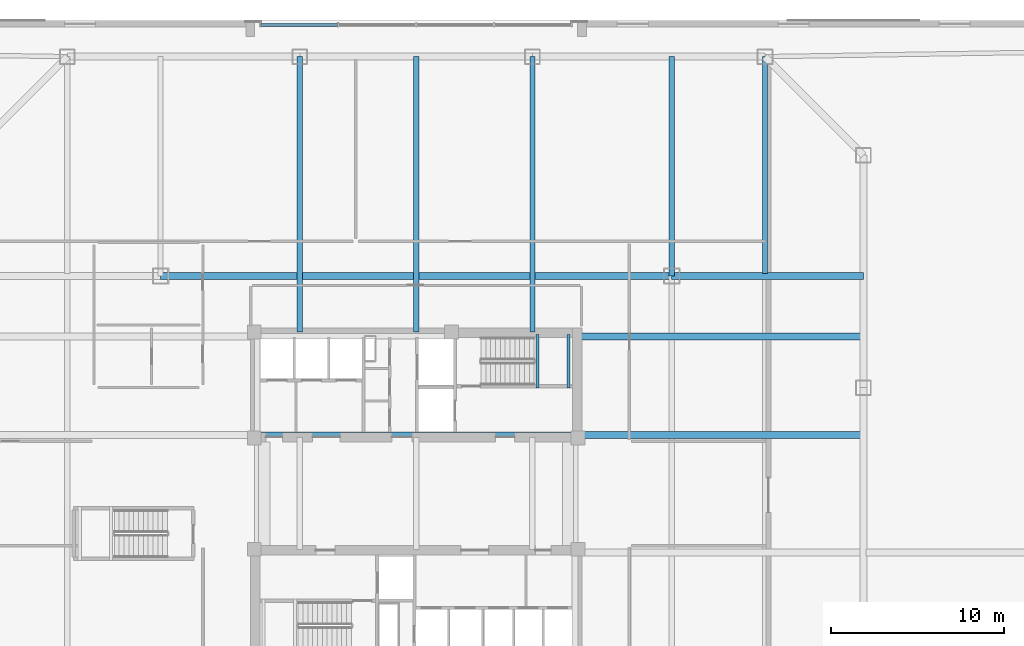
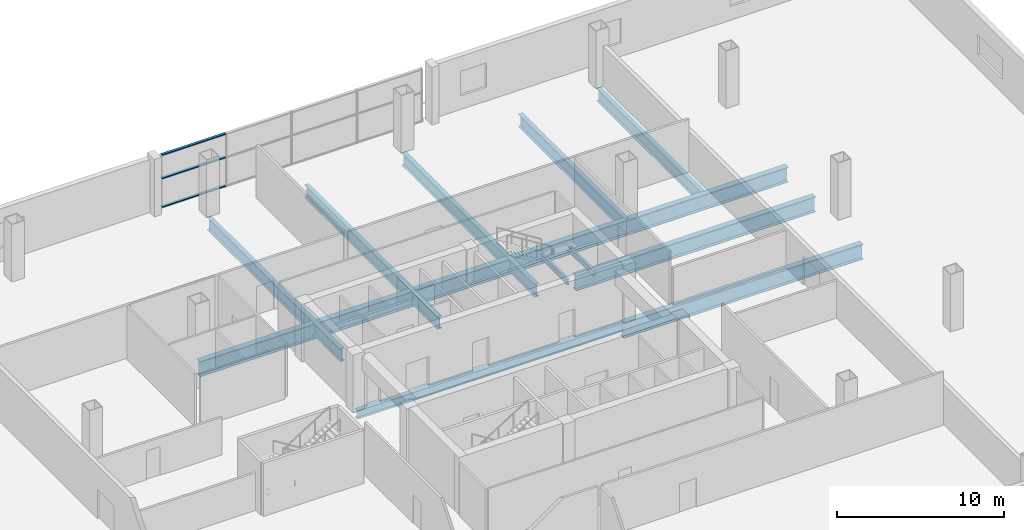
# One storey, part 9 of 21: 12 beams, 3 members, 1 element without a shape of its own.
"""IFC4 building model written with IfcOpenShell, lengths in metres."""

from ifc_helpers import new_model, si_unit, direction, frame, origin, origin_2d, place, context, subcontext, project, spatial, hollow_rectangle, i_section, extrude, material, layer, layer_set, material_profile, profile_set, type_object, element, aggregate, save


model = new_model("IFC4")

# Units and contexts
model_context = context("Model", 3, precision=1e-05, world=origin(), true_north=direction((0.0, 1.0)))
body_context = subcontext(model_context, "Body", "Model", "MODEL_VIEW")
ifc_project = project(units=[si_unit("LENGTHUNIT", "METRE"), si_unit("AREAUNIT", "SQUARE_METRE"), si_unit("VOLUMEUNIT", "CUBIC_METRE"), si_unit("PLANEANGLEUNIT", "RADIAN"), si_unit("MASSUNIT", "GRAM", prefix="KILO")], contexts=[model_context])

# Site, building, storey
site_placement = place(None, origin())
site = spatial("IfcSite", under=ifc_project, at=site_placement, CompositionType="ELEMENT")
building_placement = place(site_placement, origin())
building = spatial("IfcBuilding", under=site, at=building_placement, Name="Qhalaya Broadcast Tower", CompositionType="ELEMENT")
storey_placement = place(building_placement, frame((0.0, 0.0, 5.10009765625)))
storey = spatial("IfcBuildingStorey", under=building, at=storey_placement, Name="L01", CompositionType="ELEMENT", Elevation=5.10009765625)

# Beams
ifc_material_1 = material(Name="Structural Steel ASTM A992 Grade 50", Category="steel")
ifc_material_profile_1 = material_profile(ifc_material_1, i_section(OverallWidth=0.323974609375, OverallDepth=0.612060546875, WebThickness=0.0126953125, FlangeThickness=0.01904296875, at=origin_2d()), Name="W24X104")
ifc_profile_set_1 = profile_set([ifc_material_profile_1], Name="Structural Steel ASTM A992 Grade 50")
beam_type_1 = type_object("IfcBeamType", Name="Core Frame Tie Beam B04", PredefinedType="BEAM", material=ifc_profile_set_1)
beam_1_placement = place(storey_placement, frame((-9.199951171875, 4.0, -0.6259765625), z_axis=(1.0, 0.0, 0.0), x_axis=(0.0, 1.0, 0.0)))
element("IfcBeam", 1, at=beam_1_placement, inside=storey, type_object=beam_type_1, Name="L01 B04 L01-CCN1", PredefinedType="BEAM", context=body_context, shape_type="SweptSolid", body=[
    extrude(i_section(OverallWidth=0.323974609375, OverallDepth=0.612060546875, WebThickness=0.0126953125, FlangeThickness=0.01904296875, at=origin_2d()), origin(), (0.0, 0.0, 1.0), 18.39990234375),
])
ifc_material_profile_2 = material_profile(ifc_material_1, i_section(OverallWidth=0.306884765625, OverallDepth=0.927001953125, WebThickness=0.019287109375, FlangeThickness=0.031982421875, at=origin_2d()), Name="W36X194")
ifc_profile_set_2 = profile_set([ifc_material_profile_2], Name="Structural Steel ASTM A992 Grade 50")
beam_type_2 = type_object("IfcBeamType", Name="Heavy Studio Floor Beam B01", PredefinedType="BEAM", material=ifc_profile_set_2)
for number, where, z_axis, x_axis, name in (
    (2, (-6.7333984375, 9.949951171875, -0.78369140625), (0.0, 1.0, 0.0), (-1.0, 0.0, 0.0), "L01 B01 L01-JS-CN-6.7"),
    (3, (0.0, 9.949951171875, -0.78369140625), (0.0, 1.0, 0.0), (-1.0, 0.0, 0.0), "L01 B01 L01-JS-CN+0.0"),
    (4, (6.7333984375, 9.949951171875, -0.78369140625), (0.0, 1.0, 0.0), (-1.0, 0.0, 0.0), "L01 B01 L01-JS-CN+6.7"),
):
    element("IfcBeam", number, at=place(storey_placement, frame(where, z_axis=z_axis, x_axis=x_axis)), inside=storey, type_object=beam_type_2, Name=name, PredefinedType="BEAM", context=body_context, shape_type="SweptSolid", body=[
        extrude(i_section(OverallWidth=0.306884765625, OverallDepth=0.927001953125, WebThickness=0.019287109375, FlangeThickness=0.031982421875, at=origin_2d()), origin(), (0.0, 0.0, 1.0), 15.949951171875),
    ])
beam_2_placement = place(storey_placement, frame((14.800048828125, 13.199951171875, -0.78369140625), z_axis=(0.0, 1.0, 0.0), x_axis=(-1.0, 0.0, 0.0)))
element("IfcBeam", 5, at=beam_2_placement, inside=storey, type_object=beam_type_2, Name="L01 B01 L01-JS-N+14.8", PredefinedType="BEAM", context=body_context, shape_type="SweptSolid", body=[
    extrude(i_section(OverallWidth=0.306884765625, OverallDepth=0.927001953125, WebThickness=0.019287109375, FlangeThickness=0.031982421875, at=origin_2d()), origin(), (0.0, 0.0, 1.0), 12.699951171875),
])
beam_3_placement = place(storey_placement, frame((20.199951171875, 13.340087890625, -0.78369140625), z_axis=(0.0, 1.0, 0.0), x_axis=(-1.0, 0.0, 0.0)))
element("IfcBeam", 6, at=beam_3_placement, inside=storey, type_object=beam_type_2, Name="L01 B01 L01-JS-N+20.2", PredefinedType="BEAM", context=body_context, shape_type="SweptSolid", body=[
    extrude(i_section(OverallWidth=0.306884765625, OverallDepth=0.927001953125, WebThickness=0.019287109375, FlangeThickness=0.031982421875, at=origin_2d()), origin(), (0.0, 0.0, 1.0), 12.559814453125),
])
ifc_material_profile_3 = material_profile(ifc_material_1, i_section(OverallWidth=0.404052734375, OverallDepth=1.117919921875, WebThickness=0.026123046875, FlangeThickness=0.044921875, at=origin_2d()), Name="W44X335")
ifc_profile_set_3 = profile_set([ifc_material_profile_3], Name="Structural Steel ASTM A992 Grade 50")
beam_type_3 = type_object("IfcBeamType", Name="Podium Long-Span Primary Girder PG1", PredefinedType="USERDEFINED", material=ifc_profile_set_3)
beam_4_placement = place(storey_placement, frame((-14.800048828125, 13.199951171875, -0.879150390625), z_axis=(1.0, 0.0, 0.0), x_axis=(0.0, 1.0, 0.0)))
element("IfcBeam", 7, at=beam_4_placement, inside=storey, type_object=beam_type_3, Name="L01 PG1 L01-PG-GN3", ObjectType="GIRDER", PredefinedType="USERDEFINED", context=body_context, shape_type="SweptSolid", body=[
    extrude(i_section(OverallWidth=0.404052734375, OverallDepth=1.117919921875, WebThickness=0.026123046875, FlangeThickness=0.044921875, at=origin_2d()), origin(), (0.0, 0.0, 1.0), 29.60009765625),
])
beam_5_placement = place(storey_placement, frame((14.800048828125, 13.199951171875, -0.879150390625), z_axis=(1.0, 0.0, 0.0), x_axis=(0.0, 1.0, 0.0)))
element("IfcBeam", 8, at=beam_5_placement, inside=storey, type_object=beam_type_3, Name="L01 PG1 L01-PG-GN4", ObjectType="GIRDER", PredefinedType="USERDEFINED", context=body_context, shape_type="SweptSolid", body=[
    extrude(i_section(OverallWidth=0.404052734375, OverallDepth=1.117919921875, WebThickness=0.026123046875, FlangeThickness=0.044921875, at=origin_2d()), origin(), (0.0, 0.0, 1.0), 11.099853515625),
])
for number, where, z_axis, x_axis, name in (
    (9, (9.199951171875, 4.0, -0.879150390625), (1.0, 0.0, 0.0), (0.0, 1.0, 0.0), "L01 PG1 L01-PG-E3A"),
    (10, (9.199951171875, 9.699951171875, -0.879150390625), (1.0, 0.0, 0.0), (0.0, 1.0, 0.0), "L01 PG1 L01-PG-E4A"),
):
    element("IfcBeam", number, at=place(storey_placement, frame(where, z_axis=z_axis, x_axis=x_axis)), inside=storey, type_object=beam_type_3, Name=name, ObjectType="GIRDER", PredefinedType="USERDEFINED", context=body_context, shape_type="SweptSolid", body=[
        extrude(i_section(OverallWidth=0.404052734375, OverallDepth=1.117919921875, WebThickness=0.026123046875, FlangeThickness=0.044921875, at=origin_2d()), origin(), (0.0, 0.0, 1.0), 16.56005859375),
    ])

# Curtain wall, members
ifc_material_2 = material(Name="Solar-Control Low-E Triple Glazing", Category="glass")
ifc_layer = layer(ifc_material_2, 0.219970703125, Name="Solar-Control Low-E Triple Glazing")
ifc_layer_set = layer_set([ifc_layer], Name="Solar-Control Low-E Triple Glazing")
curtain_wall_type = type_object("IfcCurtainWallType", Name="Podium Concourse Triple-Height Glazed Portal CW-01", PredefinedType="NOTDEFINED", material=ifc_layer_set)
curtain_wall_placement = place(storey_placement, origin())
curtain_wall = element("IfcCurtainWall", 11, at=curtain_wall_placement, inside=storey, type_object=curtain_wall_type, Name="L01 Unitised Curtain Wall L01-CW01-N", PredefinedType="NOTDEFINED")
ifc_material_3 = material(Name="Anodised Aluminium 6063-T6", Category="aluminium")
ifc_material_profile_4 = material_profile(ifc_material_3, hollow_rectangle(XDim=0.074951171875, YDim=0.179931640625, WallThickness=0.00390625, at=origin_2d()), Name="ALU-TRN 75x180x4")
ifc_profile_set_4 = profile_set([ifc_material_profile_4], Name="Anodised Aluminium 6063-T6")
member_type = type_object("IfcMemberType", Name="Unitised Curtain-Wall Transom T01", PredefinedType="USERDEFINED", material=ifc_profile_set_4)
member_1_placement = place(storey_placement, frame((-4.5625, 27.75, 0.037353515625), z_axis=(-1.0, 0.0, 0.0), x_axis=(0.0, 0.0, 1.0)))
member_1 = element("IfcMember", 12, at=member_1_placement, type_object=member_type, Name="CW-01 transom 4.1", ObjectType="TRANSOM", PredefinedType="USERDEFINED", context=body_context, shape_type="SweptSolid", body=[
    extrude(hollow_rectangle(XDim=0.074951171875, YDim=0.179931640625, WallThickness=0.00390625, at=origin_2d()), origin(), (0.0, 0.0, 1.0), 4.41259765625),
])
member_2_placement = place(storey_placement, frame((-4.5625, 27.75, 2.1337890625), z_axis=(-1.0, 0.0, 0.0), x_axis=(0.0, 0.0, 1.0)))
member_2 = element("IfcMember", 13, at=member_2_placement, type_object=member_type, Name="CW-01 transom 4.2", ObjectType="TRANSOM", PredefinedType="USERDEFINED", context=body_context, shape_type="SweptSolid", body=[
    extrude(hollow_rectangle(XDim=0.074951171875, YDim=0.179931640625, WallThickness=0.00390625, at=origin_2d()), origin(), (0.0, 0.0, 1.0), 4.41259765625),
])
member_3_placement = place(storey_placement, frame((-4.5625, 27.75, 3.84228515625), z_axis=(-1.0, 0.0, 0.0), x_axis=(0.0, 0.0, 1.0)))
member_3 = element("IfcMember", 14, at=member_3_placement, type_object=member_type, Name="CW-01 transom 4.3", ObjectType="TRANSOM", PredefinedType="USERDEFINED", context=body_context, shape_type="SweptSolid", body=[
    extrude(hollow_rectangle(XDim=0.074951171875, YDim=0.179931640625, WallThickness=0.00390625, at=origin_2d()), origin(), (0.0, 0.0, 1.0), 4.41259765625),
])
aggregate(curtain_wall, [member_1, member_2, member_3])

# Beams
ifc_material_profile_5 = material_profile(ifc_material_1, i_section(OverallWidth=0.177978515625, OverallDepth=0.406005859375, WebThickness=0.0078125, FlangeThickness=0.0126953125, at=origin_2d()), Name="W16X40")
ifc_profile_set_5 = profile_set([ifc_material_profile_5], Name="Structural Steel ASTM A992 Grade 50")
beam_type_4 = type_object("IfcBeamType", Name="Upper Perimeter Spandrel Beam SP2", PredefinedType="SPANDREL", material=ifc_profile_set_5)
for number, where, z_axis, x_axis, name in (
    (15, (7.014892578125, 6.699951171875, 1.697021484375), (0.0, 1.0, 0.0), (-1.0, 0.0, 0.0), "L01 ST-1 Half-Landing Bearer Beam 1"),
    (16, (8.830078125, 6.699951171875, 1.697021484375), (0.0, 1.0, 0.0), (-1.0, 0.0, 0.0), "L01 ST-1 Half-Landing Bearer Beam 2"),
):
    element("IfcBeam", number, at=place(storey_placement, frame(where, z_axis=z_axis, x_axis=x_axis)), inside=storey, type_object=beam_type_4, Name=name, PredefinedType="SPANDREL", context=body_context, shape_type="SweptSolid", body=[
        extrude(i_section(OverallWidth=0.177978515625, OverallDepth=0.406005859375, WebThickness=0.0078125, FlangeThickness=0.0126953125, at=origin_2d()), origin(), (0.0, 0.0, 1.0), 3.1201171875),
    ])

save(model, "model.ifc")
